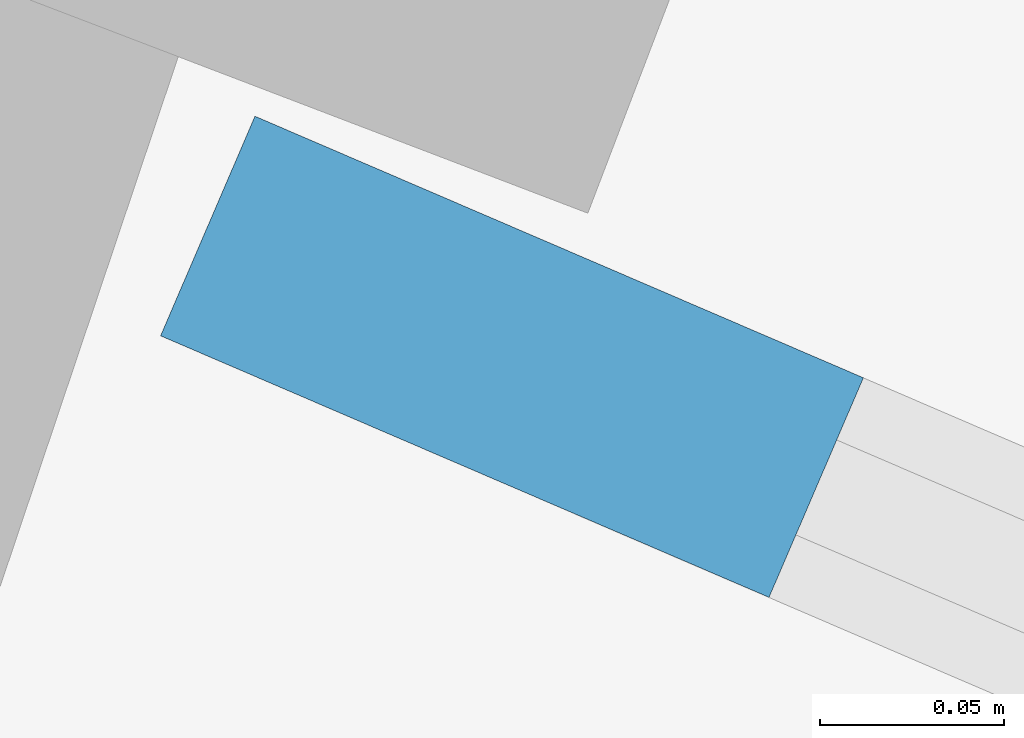
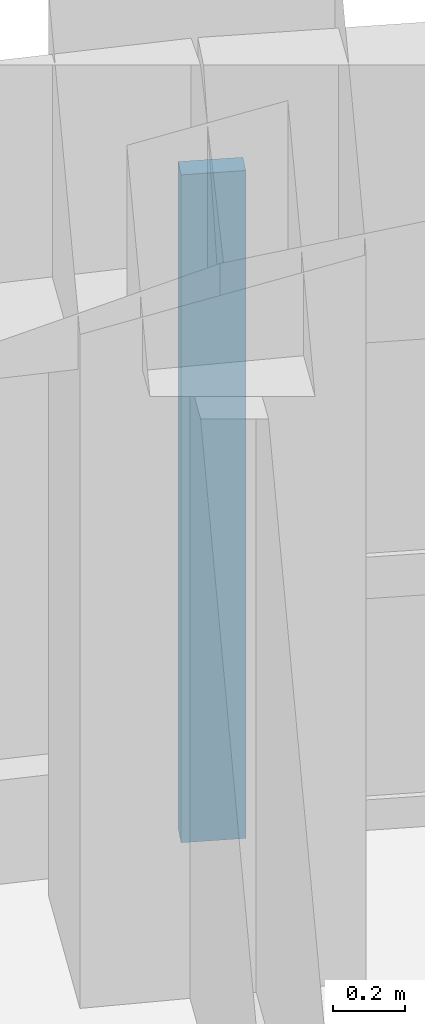
# One storey, part 25 of 70: 1 member, 1 element without a shape of its own.
"""IFC4 building model written with IfcOpenShell, lengths in metres."""

from ifc_helpers import new_model, si_unit, direction, frame, origin, origin_2d, place, context, subcontext, project, spatial, rectangle, extrude, material, material_profile, profile_set, type_object, element, aggregate, save


model = new_model("IFC4")

# Units and contexts
model_context = context("Model", 3, precision=1e-05, world=origin(), true_north=direction((0.0, 1.0)))
body_context = subcontext(model_context, "Body", "Model", "MODEL_VIEW")
ifc_project = project(units=[si_unit("LENGTHUNIT", "METRE"), si_unit("AREAUNIT", "SQUARE_METRE"), si_unit("VOLUMEUNIT", "CUBIC_METRE"), si_unit("PLANEANGLEUNIT", "RADIAN"), si_unit("MASSUNIT", "GRAM", prefix="KILO")], contexts=[model_context])

# Site, building, storey
site_placement = place(None, origin())
site = spatial("IfcSite", under=ifc_project, at=site_placement, CompositionType="ELEMENT")
building_placement = place(site_placement, origin())
building = spatial("IfcBuilding", under=site, at=building_placement, Name="Zimvara Arc Housing Community", CompositionType="ELEMENT")
storey_placement = place(building_placement, frame((0.0, 0.0, 8.10009765625)))
storey = spatial("IfcBuildingStorey", under=building, at=storey_placement, Name="L02", CompositionType="ELEMENT", Elevation=8.10009765625)

# Curtain wall, member
ifc_material_1 = material(Name="Anodised Aluminium AW-6063", Category="aluminium")
curtain_wall_type = type_object("IfcCurtainWallType", Name="CW-SYS-06", PredefinedType="USERDEFINED", material=ifc_material_1)
curtain_wall_placement = place(storey_placement, origin())
curtain_wall = element("IfcCurtainWall", 1, at=curtain_wall_placement, inside=storey, type_object=curtain_wall_type, Name="cw:blkB:L02:out:b4", ObjectType="CURTAIN WALL", PredefinedType="USERDEFINED")
ifc_material_2 = material(Name="Anodised Aluminium AW-6063", Category="aluminium")
ifc_material_profile = material_profile(ifc_material_2, rectangle(XDim=0.06494140625, YDim=0.179931640625, at=origin_2d()), Name="ALU 65x180")
ifc_profile_set = profile_set([ifc_material_profile], Name="Anodised Aluminium AW-6063")
member_type = type_object("IfcMemberType", Name="CWM-65x150", PredefinedType="MULLION", material=ifc_profile_set)
member_placement = place(storey_placement, frame((66.287353515625, 99.92919921875, 0.0), z_axis=(0.0, 0.0, 1.0), x_axis=(0.394904211998, 0.918722299363, 0.0)))
member = element("IfcMember", 2, at=member_placement, type_object=member_type, Name="CW06 mullion 1", PredefinedType="MULLION", context=body_context, shape_type="SweptSolid", body=[
    extrude(rectangle(XDim=0.06494140625, YDim=0.179931640625, at=origin_2d()), origin(), (0.0, 0.0, 1.0), 2.25),
])
aggregate(curtain_wall, [member])

save(model, "model.ifc")
